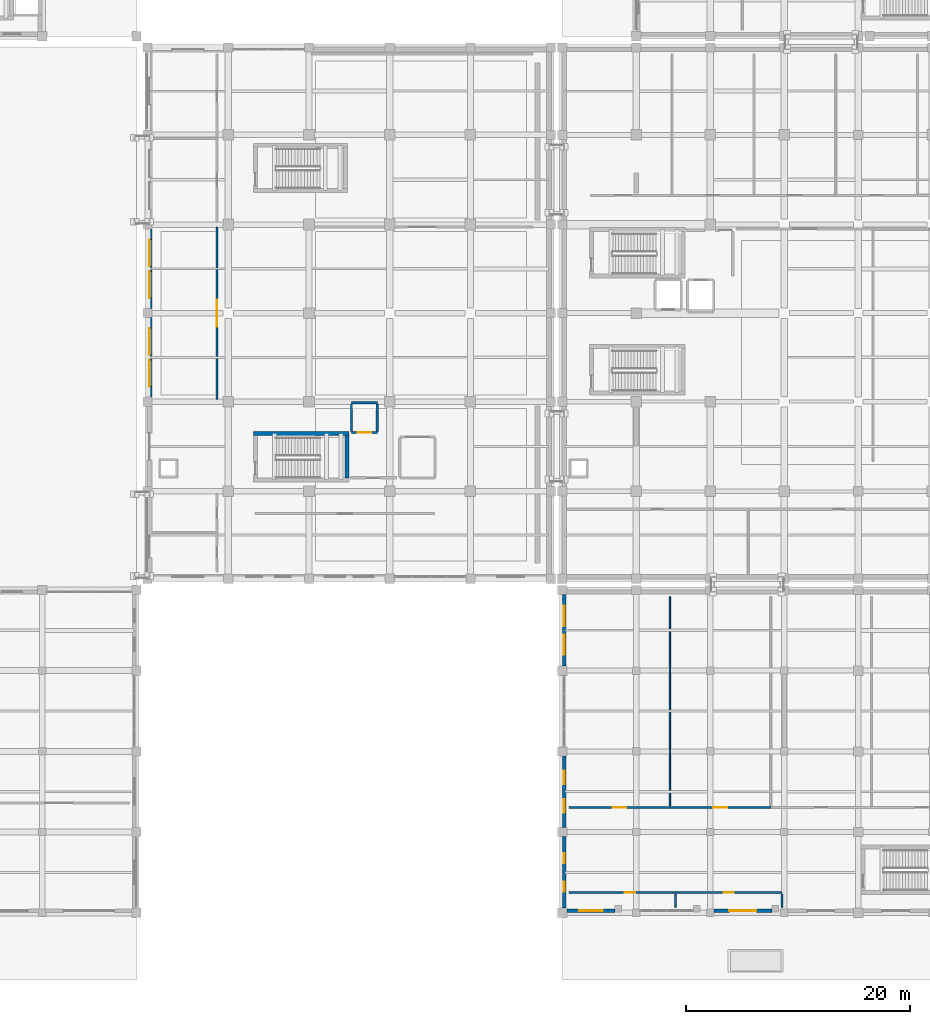
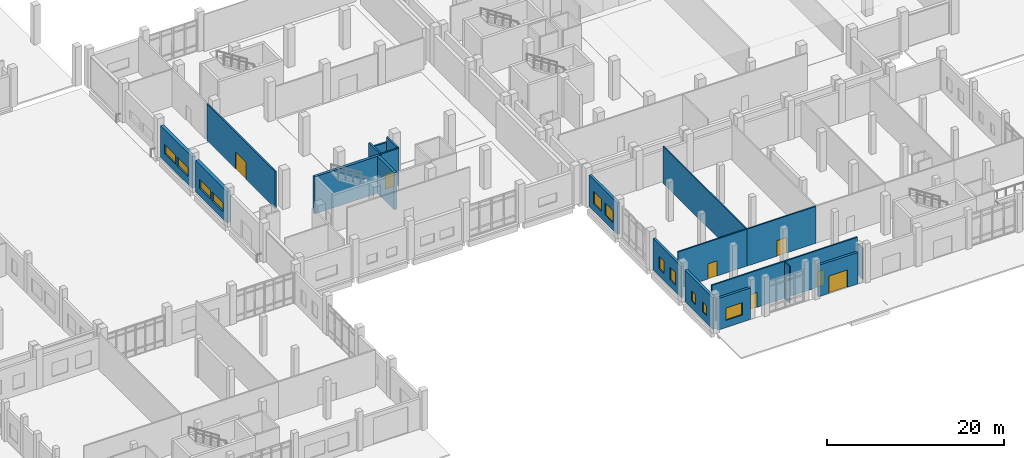
# One storey, part 53 of 79: 21 walls, 11 windows, 7 doors, 18 openings.
"""IFC4 building model written with IfcOpenShell, lengths in metres."""

from ifc_helpers import new_model, si_unit, direction, frame, frame_2d, origin, place, context, subcontext, project, spatial, rectangle, extrude, material, layer, layer_set, type_object, element, fill, save


model = new_model("IFC4")

# Units and contexts
model_context = context("Model", 3, precision=1e-05, world=origin(), true_north=direction((0.0, 1.0)))
body_context = subcontext(model_context, "Body", "Model", "MODEL_VIEW")
ifc_project = project(units=[si_unit("LENGTHUNIT", "METRE"), si_unit("AREAUNIT", "SQUARE_METRE"), si_unit("VOLUMEUNIT", "CUBIC_METRE"), si_unit("PLANEANGLEUNIT", "RADIAN"), si_unit("MASSUNIT", "GRAM", prefix="KILO")], contexts=[model_context])

# Site, building, storey
site_placement = place(None, origin())
site = spatial("IfcSite", under=ifc_project, at=site_placement, CompositionType="ELEMENT")
building_placement = place(site_placement, origin())
building = spatial("IfcBuilding", under=site, at=building_placement, Name="Kelarvand Opera House", CompositionType="ELEMENT")
storey_placement = place(building_placement, origin())
storey = spatial("IfcBuildingStorey", under=building, at=storey_placement, Name="L00", CompositionType="ELEMENT", Elevation=0.0)

# Walls
ifc_material_1 = material(Name="Acoustic double-stud gypsum partition")
ifc_layer_1 = layer(ifc_material_1, 0.14990234375, Name="Acoustic double-stud gypsum partition")
ifc_layer_set_1 = layer_set([ifc_layer_1], Name="Acoustic double-stud gypsum partition")
wall_type_1 = type_object("IfcWallType", Name="Acoustic Room Partition Wall 150", PredefinedType="PARTITIONING", material=ifc_layer_set_1)
wall_1_placement = place(storey_placement, frame((98.60009765625, 18.5400390625, 0.0), z_axis=(0.0, 0.0, 1.0), x_axis=(0.0, 1.0, 0.0)))
element("IfcWall", 1, at=wall_1_placement, inside=storey, type_object=wall_type_1, Name="V6 L00 Partition Wall IW-150 (317)", PredefinedType="PARTITIONING", context=body_context, shape_type="SweptSolid", body=[
    extrude(rectangle(XDim=18.659912109375, YDim=0.14990234375, at=frame_2d((9.330078125, 0.0))), origin(), (0.0, 0.0, 1.0), 5.092041015625),
])
wall_2_placement = place(storey_placement, frame((99.10009765625, 9.5, 0.0), z_axis=(0.0, 0.0, 1.0), x_axis=(0.0, 1.0, 0.0)))
element("IfcWall", 2, at=wall_2_placement, inside=storey, type_object=wall_type_1, Name="V6 L00 Partition Wall IW-150 (326)", PredefinedType="PARTITIONING", context=body_context, shape_type="SweptSolid", body=[
    extrude(rectangle(XDim=1.159912109375, YDim=0.14990234375, at=frame_2d((0.580078125, 0.0))), origin(), (0.0, 0.0, 1.0), 5.092041015625),
])
wall_3_placement = place(storey_placement, frame((108.60009765625, 9.5, 0.0), z_axis=(0.0, 0.0, 1.0), x_axis=(0.0, 1.0, 0.0)))
element("IfcWall", 3, at=wall_3_placement, inside=storey, type_object=wall_type_1, Name="V6 L00 Partition Wall IW-150 (327)", PredefinedType="PARTITIONING", context=body_context, shape_type="SweptSolid", body=[
    extrude(rectangle(XDim=1.159912109375, YDim=0.14990234375, at=frame_2d((0.580078125, 0.0))), origin(), (0.0, 0.0, 1.0), 4.342041015625),
])
ifc_material_2 = material(Name="Concrete C40/50", Category="concrete")
ifc_layer_2 = layer(ifc_material_2, 0.35009765625, Name="Concrete C40/50", Category="concrete")
ifc_layer_set_2 = layer_set([ifc_layer_2], Name="Concrete C40/50")
wall_type_2 = type_object("IfcWallType", Name="Core Stair and Lift Shear Wall 350", PredefinedType="SHEAR", material=ifc_layer_set_2)
wall_4_placement = place(storey_placement, frame((69.949951171875, 51.77490234375, 0.0), z_axis=(0.0, 0.0, 1.0), x_axis=(-1.0, 0.0, 0.0)))
element("IfcWall", 4, at=wall_4_placement, inside=storey, type_object=wall_type_2, Name="C2 Stair Core Shear Wall N L00", PredefinedType="SHEAR", context=body_context, shape_type="SweptSolid", body=[
    extrude(rectangle(XDim=8.5, YDim=0.35009765625, at=frame_2d((4.25, 0.0))), origin(), (0.0, 0.0, 1.0), 5.10009765625),
])
wall_5_placement = place(storey_placement, frame((69.77490234375, 51.60009765625, 0.0), z_axis=(0.0, 0.0, 1.0), x_axis=(0.0, -1.0, 0.0)))
element("IfcWall", 5, at=wall_5_placement, inside=storey, type_object=wall_type_2, Name="C2 Stair Core Shear Wall E L00", PredefinedType="SHEAR", context=body_context, shape_type="SweptSolid", body=[
    extrude(rectangle(XDim=3.800048828125, YDim=0.35009765625, at=frame_2d((1.89990234375, 0.0))), origin(), (0.0, 0.0, 1.0), 5.10009765625),
])

# Wall, opening, door
ifc_material_3 = material(Name="Concrete C35/45", Category="concrete")
ifc_layer_3 = layer(ifc_material_3, 0.179931640625, Name="Concrete C35/45", Category="concrete")
ifc_layer_set_3 = layer_set([ifc_layer_3], Name="Concrete C35/45")
wall_type_3 = type_object("IfcWallType", Name="Corridor Fire-Rated Partition Wall 180 EI90", PredefinedType="PARTITIONING", material=ifc_layer_set_3)
wall_6_placement = place(storey_placement, frame((58.199951171875, 54.800048828125, 0.0), z_axis=(0.0, 0.0, 1.0), x_axis=(0.0, 1.0, 0.0)))
wall_6 = element("IfcWall", 6, at=wall_6_placement, inside=storey, type_object=wall_type_3, Name="V2 L00 Partition Wall IW-90 (268)", PredefinedType="PARTITIONING", context=body_context, shape_type="SweptSolid", body=[
    extrude(rectangle(XDim=15.39990234375, YDim=0.179931640625, at=frame_2d((7.699951171875, 0.0))), origin(), (0.0, 0.0, 1.0), 5.092041015625),
])
opening_1_placement = place(wall_6_placement, frame((6.5, 0.0, 0.0)))
opening_1 = element("IfcOpeningElement", 7, at=opening_1_placement, cuts=wall_6, Name="Opening D-05", PredefinedType="OPENING", context=body_context, shape_type="SweptSolid", body=[
    extrude(rectangle(XDim=2.39990234375, YDim=2.39990234375, at=frame_2d((1.199951171875, 1.199951171875))), frame((0.0, 0.10009765625, 0.0), z_axis=(0.0, -1.0, 0.0), x_axis=(1.0, 0.0, 0.0)), (0.0, 0.0, 1.0), 0.199951171875),
])
ifc_material_4 = material(Name="Acoustic walnut-veneered hardwood", Category="wood")
door_type_1 = type_object("IfcDoorType", Name="Stage Acoustic Scenery Double Door 2400x2400", OperationType="NOTDEFINED", PredefinedType="DOOR", material=ifc_material_4)
door_1_placement = place(opening_1_placement, origin())
door_1 = element("IfcDoor", 8, at=door_1_placement, inside=storey, type_object=door_type_1, Name="V2 L00 Door D-05 (114)", OperationType="DOUBLE_DOOR_SINGLE_SWING", OverallHeight=2.39990234375, OverallWidth=2.39990234375, PredefinedType="DOOR", context=body_context, shape_type="SweptSolid", body=[
    extrude(rectangle(XDim=2.39990234375, YDim=2.39990234375, at=frame_2d((1.199951171875, 1.199951171875))), frame((0.0, 0.02490234375, 0.0), z_axis=(0.0, -1.0, 0.0), x_axis=(1.0, 0.0, 0.0)), (0.0, 0.0, 1.0), 0.050048828125),
])
fill(opening_1, door_1)

wall_7_placement = place(storey_placement, frame((89.60009765625, 18.39990234375, 0.0), z_axis=(0.0, 0.0, 1.0), x_axis=(1.0, 0.0, 0.0)))
wall_7 = element("IfcWall", 9, at=wall_7_placement, inside=storey, type_object=wall_type_3, Name="V6 L00 Partition Wall IW-90 (316)", PredefinedType="PARTITIONING", context=body_context, shape_type="SweptSolid", body=[
    extrude(rectangle(XDim=9.0, YDim=0.179931640625, at=frame_2d((4.5, 0.0))), origin(), (0.0, 0.0, 1.0), 5.092041015625),
])
opening_2_placement = place(wall_7_placement, frame((3.89990234375, 0.0, 0.0)))
opening_2 = element("IfcOpeningElement", 10, at=opening_2_placement, cuts=wall_7, Name="Opening D-06", PredefinedType="OPENING", context=body_context, shape_type="SweptSolid", body=[
    extrude(rectangle(XDim=1.199951171875, YDim=2.10009765625, at=frame_2d((0.60009765625, 1.050048828125))), frame((0.0, 0.10009765625, 0.0), z_axis=(0.0, -1.0, 0.0), x_axis=(1.0, 0.0, 0.0)), (0.0, 0.0, 1.0), 0.199951171875),
])
door_type_2 = type_object("IfcDoorType", Name="Accessible Suite Timber Door 1200x2100", OperationType="NOTDEFINED", PredefinedType="DOOR", material=ifc_material_4)
door_2_placement = place(opening_2_placement, origin())
door_2 = element("IfcDoor", 11, at=door_2_placement, inside=storey, type_object=door_type_2, Name="V6 L00 Door D-06 (139)", OperationType="SINGLE_SWING_RIGHT", OverallHeight=2.10009765625, OverallWidth=1.199951171875, PredefinedType="DOOR", context=body_context, shape_type="SweptSolid", body=[
    extrude(rectangle(XDim=1.199951171875, YDim=2.10009765625, at=frame_2d((0.60009765625, 1.050048828125))), frame((0.0, 0.02490234375, 0.0), z_axis=(0.0, -1.0, 0.0), x_axis=(1.0, 0.0, 0.0)), (0.0, 0.0, 1.0), 0.050048828125),
])
fill(opening_2, door_2)

wall_8_placement = place(storey_placement, frame((98.60009765625, 18.39990234375, 0.0), z_axis=(0.0, 0.0, 1.0), x_axis=(1.0, 0.0, 0.0)))
wall_8 = element("IfcWall", 12, at=wall_8_placement, inside=storey, type_object=wall_type_3, Name="V6 L00 Partition Wall IW-90 (318)", PredefinedType="PARTITIONING", context=body_context, shape_type="SweptSolid", body=[
    extrude(rectangle(XDim=9.0, YDim=0.179931640625, at=frame_2d((4.5, 0.0))), origin(), (0.0, 0.0, 1.0), 5.092041015625),
])
opening_3_placement = place(wall_8_placement, frame((3.860107421875, 0.0, 0.0)))
opening_3 = element("IfcOpeningElement", 13, at=opening_3_placement, cuts=wall_8, Name="Opening D-11", PredefinedType="OPENING", context=body_context, shape_type="SweptSolid", body=[
    extrude(rectangle(XDim=1.280029296875, YDim=2.139892578125, at=frame_2d((0.64013671875, 1.06982421875))), frame((0.0, 0.10009765625, 0.0), z_axis=(0.0, -1.0, 0.0), x_axis=(1.0, 0.0, 0.0)), (0.0, 0.0, 1.0), 0.199951171875),
])
door_type_3 = type_object("IfcDoorType", Name="Instrument Store Leaf-and-Half Door 1280x2140", OperationType="NOTDEFINED", PredefinedType="DOOR", material=ifc_material_4)
door_3_placement = place(opening_3_placement, origin())
door_3 = element("IfcDoor", 14, at=door_3_placement, inside=storey, type_object=door_type_3, Name="V6 L00 Door D-11 (140)", OperationType="SINGLE_SWING_LEFT", OverallHeight=2.139892578125, OverallWidth=1.280029296875, PredefinedType="DOOR", context=body_context, shape_type="SweptSolid", body=[
    extrude(rectangle(XDim=1.280029296875, YDim=2.139892578125, at=frame_2d((0.64013671875, 1.06982421875))), frame((0.0, 0.02490234375, 0.0), z_axis=(0.0, -1.0, 0.0), x_axis=(1.0, 0.0, 0.0)), (0.0, 0.0, 1.0), 0.050048828125),
])
fill(opening_3, door_3)

wall_9_placement = place(storey_placement, frame((89.60009765625, 10.800048828125, 0.0), z_axis=(0.0, 0.0, 1.0), x_axis=(1.0, 0.0, 0.0)))
wall_9 = element("IfcWall", 15, at=wall_9_placement, inside=storey, type_object=wall_type_3, Name="V6 L00 Partition Wall IW-90 (325)", PredefinedType="PARTITIONING", context=body_context, shape_type="SweptSolid", body=[
    extrude(rectangle(XDim=9.5, YDim=0.179931640625, at=frame_2d((4.75, 0.0))), origin(), (0.0, 0.0, 1.0), 5.092041015625),
])
opening_4_placement = place(wall_9_placement, frame((4.991943359375, 0.0, 0.0)))
opening_4 = element("IfcOpeningElement", 16, at=opening_4_placement, cuts=wall_9, Name="Opening D-01", PredefinedType="OPENING", context=body_context, shape_type="SweptSolid", body=[
    extrude(rectangle(XDim=0.919921875, YDim=2.050048828125, at=frame_2d((0.4599609375, 1.02490234375))), frame((0.0, 0.10009765625, 0.0), z_axis=(0.0, -1.0, 0.0), x_axis=(1.0, 0.0, 0.0)), (0.0, 0.0, 1.0), 0.199951171875),
])
door_type_4 = type_object("IfcDoorType", Name="Solid Timber Dressing and WC Door 920x2050", OperationType="NOTDEFINED", PredefinedType="DOOR", material=ifc_material_4)
door_4_placement = place(opening_4_placement, origin())
door_4 = element("IfcDoor", 17, at=door_4_placement, inside=storey, type_object=door_type_4, Name="V6 L00 Door D-01 (144)", OperationType="SINGLE_SWING_LEFT", OverallHeight=2.050048828125, OverallWidth=0.919921875, PredefinedType="DOOR", context=body_context, shape_type="SweptSolid", body=[
    extrude(rectangle(XDim=0.919921875, YDim=2.050048828125, at=frame_2d((0.4599609375, 1.02490234375))), frame((0.0, 0.02490234375, 0.0), z_axis=(0.0, -1.0, 0.0), x_axis=(1.0, 0.0, 0.0)), (0.0, 0.0, 1.0), 0.050048828125),
])
fill(opening_4, door_4)

wall_10_placement = place(storey_placement, frame((99.10009765625, 10.800048828125, 0.0), z_axis=(0.0, 0.0, 1.0), x_axis=(1.0, 0.0, 0.0)))
wall_10 = element("IfcWall", 18, at=wall_10_placement, inside=storey, type_object=wall_type_3, Name="V6 L00 Partition Wall IW-90 (328)", PredefinedType="PARTITIONING", context=body_context, shape_type="SweptSolid", body=[
    extrude(rectangle(XDim=9.5, YDim=0.179931640625, at=frame_2d((4.75, 0.0))), origin(), (0.0, 0.0, 1.0), 5.092041015625),
])
opening_5_placement = place(wall_10_placement, frame((4.2900390625, 0.0, 0.0)))
opening_5 = element("IfcOpeningElement", 19, at=opening_5_placement, cuts=wall_10, Name="Opening D-01", PredefinedType="OPENING", context=body_context, shape_type="SweptSolid", body=[
    extrude(rectangle(XDim=0.919921875, YDim=2.050048828125, at=frame_2d((0.4599609375, 1.02490234375))), frame((0.0, 0.10009765625, 0.0), z_axis=(0.0, -1.0, 0.0), x_axis=(1.0, 0.0, 0.0)), (0.0, 0.0, 1.0), 0.199951171875),
])
door_5_placement = place(opening_5_placement, origin())
door_5 = element("IfcDoor", 20, at=door_5_placement, inside=storey, type_object=door_type_4, Name="V6 L00 Door D-01 (145)", OperationType="SINGLE_SWING_RIGHT", OverallHeight=2.050048828125, OverallWidth=0.919921875, PredefinedType="DOOR", context=body_context, shape_type="SweptSolid", body=[
    extrude(rectangle(XDim=0.919921875, YDim=2.050048828125, at=frame_2d((0.4599609375, 1.02490234375))), frame((0.0, 0.02490234375, 0.0), z_axis=(0.0, -1.0, 0.0), x_axis=(1.0, 0.0, 0.0)), (0.0, 0.0, 1.0), 0.050048828125),
])
fill(opening_5, door_5)

ifc_layer_4 = layer(ifc_material_3, 0.320068359375, Name="Concrete C35/45", Category="concrete")
ifc_layer_set_4 = layer_set([ifc_layer_4], Name="Concrete C35/45")
wall_type_4 = type_object("IfcWallType", Name="Insulated Buff Brick Cavity Wall 320", PredefinedType="SOLIDWALL", material=ifc_layer_set_4)
wall_11_placement = place(storey_placement, frame((107.699951171875, 9.179931640625, 0.0), z_axis=(0.0, 0.0, 1.0), x_axis=(-1.0, 0.0, 0.0)))
wall_11 = element("IfcWall", 21, at=wall_11_placement, inside=storey, type_object=wall_type_4, Name="V6 L00 Exterior Wall EW-320 (704)", PredefinedType="SOLIDWALL", context=body_context, shape_type="SweptSolid", body=[
    extrude(rectangle(XDim=5.175048828125, YDim=0.320068359375, at=frame_2d((2.58740234375, 0.0))), origin(), (0.0, 0.0, 1.0), 4.342041015625),
])
opening_6_placement = place(wall_11_placement, frame((1.386962890625, 0.0, 0.0)))
opening_6 = element("IfcOpeningElement", 22, at=opening_6_placement, cuts=wall_11, Name="Opening EX-240", PredefinedType="OPENING", context=body_context, shape_type="SweptSolid", body=[
    extrude(rectangle(XDim=2.39990234375, YDim=2.39990234375, at=frame_2d((1.199951171875, 1.199951171875))), frame((0.0, 0.169921875, 0.0), z_axis=(0.0, -1.0, 0.0), x_axis=(1.0, 0.0, 0.0)), (0.0, 0.0, 1.0), 0.340087890625),
])
ifc_material_5 = material(Name="Thermally broken bronze-anodised aluminium and safety glass", Category="aluminium")
door_type_5 = type_object("IfcDoorType", Name="Glazed Bronze Double Final Exit Door 2400x2400", OperationType="NOTDEFINED", PredefinedType="DOOR", material=ifc_material_5)
door_6_placement = place(opening_6_placement, origin())
door_6 = element("IfcDoor", 23, at=door_6_placement, inside=storey, type_object=door_type_5, Name="V6 Ground Final Exit Door E07", OperationType="DOUBLE_DOOR_SINGLE_SWING", OverallHeight=2.39990234375, OverallWidth=2.39990234375, PredefinedType="DOOR", context=body_context, shape_type="SweptSolid", body=[
    extrude(rectangle(XDim=2.39990234375, YDim=2.39990234375, at=frame_2d((1.199951171875, 1.199951171875))), frame((0.0, 0.02490234375, 0.0), z_axis=(0.0, -1.0, 0.0), x_axis=(1.0, 0.0, 0.0)), (0.0, 0.0, 1.0), 0.050048828125),
])
fill(opening_6, door_6)

# Wall, opening, window
wall_12_placement = place(storey_placement, frame((93.699951171875, 9.179931640625, 0.0), z_axis=(0.0, 0.0, 1.0), x_axis=(-1.0, 0.0, 0.0)))
wall_12 = element("IfcWall", 24, at=wall_12_placement, inside=storey, type_object=wall_type_4, Name="V6 L00 Exterior Wall EW-320 (705)", PredefinedType="SOLIDWALL", context=body_context, shape_type="SweptSolid", body=[
    extrude(rectangle(XDim=4.2900390625, YDim=0.320068359375, at=frame_2d((2.14501953125, 0.0))), origin(), (0.0, 0.0, 1.0), 4.342041015625),
])
opening_7_placement = place(wall_12_placement, frame((1.094970703125, 0.0, 1.0)))
opening_7 = element("IfcOpeningElement", 25, at=opening_7_placement, cuts=wall_12, Name="Opening WN-19", PredefinedType="OPENING", context=body_context, shape_type="SweptSolid", body=[
    extrude(rectangle(XDim=2.10009765625, YDim=1.699951171875, at=frame_2d((1.050048828125, 0.85009765625))), frame((0.0, 0.169921875, 0.0), z_axis=(0.0, -1.0, 0.0), x_axis=(1.0, 0.0, 0.0)), (0.0, 0.0, 1.0), 0.340087890625),
])
ifc_material_6 = material(Name="Thermally broken aluminium and low-E double glazing", Category="aluminium")
window_type_1 = type_object("IfcWindowType", Name="Recessed Aluminium Thermal Window 2100x1700 WN-19", PartitioningType="SINGLE_PANEL", PredefinedType="WINDOW", material=ifc_material_6)
window_1_placement = place(opening_7_placement, origin())
window_1 = element("IfcWindow", 26, at=window_1_placement, inside=storey, type_object=window_type_1, Name="V6 L00 Facade Window WN-19 (311)", OverallHeight=1.699951171875, OverallWidth=2.10009765625, PartitioningType="SINGLE_PANEL", PredefinedType="WINDOW", context=body_context, shape_type="SweptSolid", body=[
    extrude(rectangle(XDim=2.10009765625, YDim=1.699951171875, at=frame_2d((1.050048828125, 0.85009765625))), frame((0.0, 0.030029296875, 0.0), z_axis=(0.0, -1.0, 0.0), x_axis=(1.0, 0.0, 0.0)), (0.0, 0.0, 1.0), 0.06005859375),
])
fill(opening_7, window_1)

# Wall, openings, windows
wall_13_placement = place(storey_placement, frame((89.179931640625, 9.409912109375, 0.0), z_axis=(0.0, 0.0, 1.0), x_axis=(0.0, 1.0, 0.0)))
wall_13 = element("IfcWall", 27, at=wall_13_placement, inside=storey, type_object=wall_type_4, Name="V6 L00 Exterior Wall EW-320 (706)", PredefinedType="SOLIDWALL", context=body_context, shape_type="SweptSolid", body=[
    extrude(rectangle(XDim=6.380126953125, YDim=0.320068359375, at=frame_2d((3.18994140625, 0.0))), origin(), (0.0, 0.0, 1.0), 4.342041015625),
])
opening_8_placement = place(wall_13_placement, frame((1.464111328125, 0.0, 1.0)))
opening_8 = element("IfcOpeningElement", 28, at=opening_8_placement, cuts=wall_13, Name="Opening WN-25", PredefinedType="OPENING", context=body_context, shape_type="SweptSolid", body=[
    extrude(rectangle(XDim=0.89990234375, YDim=1.39990234375, at=frame_2d((0.449951171875, 0.699951171875))), frame((0.0, 0.169921875, 0.0), z_axis=(0.0, -1.0, 0.0), x_axis=(1.0, 0.0, 0.0)), (0.0, 0.0, 1.0), 0.340087890625),
])
opening_9_placement = place(wall_13_placement, frame((4.01611328125, 0.0, 1.0)))
opening_9 = element("IfcOpeningElement", 29, at=opening_9_placement, cuts=wall_13, Name="Opening WN-25", PredefinedType="OPENING", context=body_context, shape_type="SweptSolid", body=[
    extrude(rectangle(XDim=0.89990234375, YDim=1.39990234375, at=frame_2d((0.449951171875, 0.699951171875))), frame((0.0, 0.169921875, 0.0), z_axis=(0.0, -1.0, 0.0), x_axis=(1.0, 0.0, 0.0)), (0.0, 0.0, 1.0), 0.340087890625),
])
window_type_2 = type_object("IfcWindowType", Name="Recessed Aluminium Thermal Window 900x1400 WN-25", PartitioningType="SINGLE_PANEL", PredefinedType="WINDOW", material=ifc_material_6)
window_2_placement = place(opening_8_placement, origin())
window_2 = element("IfcWindow", 30, at=window_2_placement, inside=storey, type_object=window_type_2, Name="V6 L00 Facade Window WN-25 (312)", OverallHeight=1.39990234375, OverallWidth=0.89990234375, PartitioningType="SINGLE_PANEL", PredefinedType="WINDOW", context=body_context, shape_type="SweptSolid", body=[
    extrude(rectangle(XDim=0.89990234375, YDim=1.39990234375, at=frame_2d((0.449951171875, 0.699951171875))), frame((0.0, 0.030029296875, 0.0), z_axis=(0.0, -1.0, 0.0), x_axis=(1.0, 0.0, 0.0)), (0.0, 0.0, 1.0), 0.06005859375),
])
fill(opening_8, window_2)
window_3_placement = place(opening_9_placement, origin())
window_3 = element("IfcWindow", 31, at=window_3_placement, inside=storey, type_object=window_type_2, Name="V6 L00 Facade Window WN-25 (313)", OverallHeight=1.39990234375, OverallWidth=0.89990234375, PartitioningType="SINGLE_PANEL", PredefinedType="WINDOW", context=body_context, shape_type="SweptSolid", body=[
    extrude(rectangle(XDim=0.89990234375, YDim=1.39990234375, at=frame_2d((0.449951171875, 0.699951171875))), frame((0.0, 0.030029296875, 0.0), z_axis=(0.0, -1.0, 0.0), x_axis=(1.0, 0.0, 0.0)), (0.0, 0.0, 1.0), 0.06005859375),
])
fill(opening_9, window_3)

wall_14_placement = place(storey_placement, frame((89.179931640625, 16.610107421875, 0.0), z_axis=(0.0, 0.0, 1.0), x_axis=(0.0, 1.0, 0.0)))
wall_14 = element("IfcWall", 32, at=wall_14_placement, inside=storey, type_object=wall_type_4, Name="V6 L00 Exterior Wall EW-320 (707)", PredefinedType="SOLIDWALL", context=body_context, shape_type="SweptSolid", body=[
    extrude(rectangle(XDim=6.3798828125, YDim=0.320068359375, at=frame_2d((3.18994140625, 0.0))), origin(), (0.0, 0.0, 1.0), 4.342041015625),
])
opening_10_placement = place(wall_14_placement, frame((1.31396484375, 0.0, 1.0)))
opening_10 = element("IfcOpeningElement", 33, at=opening_10_placement, cuts=wall_14, Name="Opening WN-16", PredefinedType="OPENING", context=body_context, shape_type="SweptSolid", body=[
    extrude(rectangle(XDim=1.199951171875, YDim=1.699951171875, at=frame_2d((0.60009765625, 0.85009765625))), frame((0.0, 0.169921875, 0.0), z_axis=(0.0, -1.0, 0.0), x_axis=(1.0, 0.0, 0.0)), (0.0, 0.0, 1.0), 0.340087890625),
])
opening_11_placement = place(wall_14_placement, frame((3.865966796875, 0.0, 1.0)))
opening_11 = element("IfcOpeningElement", 34, at=opening_11_placement, cuts=wall_14, Name="Opening WN-16", PredefinedType="OPENING", context=body_context, shape_type="SweptSolid", body=[
    extrude(rectangle(XDim=1.199951171875, YDim=1.699951171875, at=frame_2d((0.60009765625, 0.85009765625))), frame((0.0, 0.169921875, 0.0), z_axis=(0.0, -1.0, 0.0), x_axis=(1.0, 0.0, 0.0)), (0.0, 0.0, 1.0), 0.340087890625),
])
window_type_3 = type_object("IfcWindowType", Name="Recessed Aluminium Thermal Window 1200x1700 WN-16", PartitioningType="SINGLE_PANEL", PredefinedType="WINDOW", material=ifc_material_6)
window_4_placement = place(opening_10_placement, origin())
window_4 = element("IfcWindow", 35, at=window_4_placement, inside=storey, type_object=window_type_3, Name="V6 L00 Facade Window WN-16 (314)", OverallHeight=1.699951171875, OverallWidth=1.199951171875, PartitioningType="SINGLE_PANEL", PredefinedType="WINDOW", context=body_context, shape_type="SweptSolid", body=[
    extrude(rectangle(XDim=1.199951171875, YDim=1.699951171875, at=frame_2d((0.60009765625, 0.85009765625))), frame((0.0, 0.030029296875, 0.0), z_axis=(0.0, -1.0, 0.0), x_axis=(1.0, 0.0, 0.0)), (0.0, 0.0, 1.0), 0.06005859375),
])
fill(opening_10, window_4)
window_5_placement = place(opening_11_placement, origin())
window_5 = element("IfcWindow", 36, at=window_5_placement, inside=storey, type_object=window_type_3, Name="V6 L00 Facade Window WN-16 (315)", OverallHeight=1.699951171875, OverallWidth=1.199951171875, PartitioningType="SINGLE_PANEL", PredefinedType="WINDOW", context=body_context, shape_type="SweptSolid", body=[
    extrude(rectangle(XDim=1.199951171875, YDim=1.699951171875, at=frame_2d((0.60009765625, 0.85009765625))), frame((0.0, 0.030029296875, 0.0), z_axis=(0.0, -1.0, 0.0), x_axis=(1.0, 0.0, 0.0)), (0.0, 0.0, 1.0), 0.06005859375),
])
fill(opening_11, window_5)

wall_15_placement = place(storey_placement, frame((89.179931640625, 31.010009765625, 0.0), z_axis=(0.0, 0.0, 1.0), x_axis=(0.0, 1.0, 0.0)))
wall_15 = element("IfcWall", 37, at=wall_15_placement, inside=storey, type_object=wall_type_4, Name="V6 L00 Exterior Wall EW-320 (708)", PredefinedType="SOLIDWALL", context=body_context, shape_type="SweptSolid", body=[
    extrude(rectangle(XDim=6.3798828125, YDim=0.320068359375, at=frame_2d((3.18994140625, 0.0))), origin(), (0.0, 0.0, 1.0), 4.342041015625),
])
opening_12_placement = place(wall_15_placement, frame((1.013916015625, 0.0, 1.0)))
opening_12 = element("IfcOpeningElement", 38, at=opening_12_placement, cuts=wall_15, Name="Opening WN-18", PredefinedType="OPENING", context=body_context, shape_type="SweptSolid", body=[
    extrude(rectangle(XDim=1.800048828125, YDim=1.699951171875, at=frame_2d((0.89990234375, 0.85009765625))), frame((0.0, 0.169921875, 0.0), z_axis=(0.0, -1.0, 0.0), x_axis=(1.0, 0.0, 0.0)), (0.0, 0.0, 1.0), 0.340087890625),
])
opening_13_placement = place(wall_15_placement, frame((3.56591796875, 0.0, 1.0)))
opening_13 = element("IfcOpeningElement", 39, at=opening_13_placement, cuts=wall_15, Name="Opening WN-18", PredefinedType="OPENING", context=body_context, shape_type="SweptSolid", body=[
    extrude(rectangle(XDim=1.800048828125, YDim=1.699951171875, at=frame_2d((0.89990234375, 0.85009765625))), frame((0.0, 0.169921875, 0.0), z_axis=(0.0, -1.0, 0.0), x_axis=(1.0, 0.0, 0.0)), (0.0, 0.0, 1.0), 0.340087890625),
])
window_type_4 = type_object("IfcWindowType", Name="Recessed Aluminium Thermal Window 1800x1700 WN-18", PartitioningType="SINGLE_PANEL", PredefinedType="WINDOW", material=ifc_material_6)
window_6_placement = place(opening_12_placement, origin())
window_6 = element("IfcWindow", 40, at=window_6_placement, inside=storey, type_object=window_type_4, Name="V6 L00 Facade Window WN-18 (316)", OverallHeight=1.699951171875, OverallWidth=1.800048828125, PartitioningType="SINGLE_PANEL", PredefinedType="WINDOW", context=body_context, shape_type="SweptSolid", body=[
    extrude(rectangle(XDim=1.800048828125, YDim=1.699951171875, at=frame_2d((0.89990234375, 0.85009765625))), frame((0.0, 0.030029296875, 0.0), z_axis=(0.0, -1.0, 0.0), x_axis=(1.0, 0.0, 0.0)), (0.0, 0.0, 1.0), 0.06005859375),
])
fill(opening_12, window_6)
window_7_placement = place(opening_13_placement, origin())
window_7 = element("IfcWindow", 41, at=window_7_placement, inside=storey, type_object=window_type_4, Name="V6 L00 Facade Window WN-18 (317)", OverallHeight=1.699951171875, OverallWidth=1.800048828125, PartitioningType="SINGLE_PANEL", PredefinedType="WINDOW", context=body_context, shape_type="SweptSolid", body=[
    extrude(rectangle(XDim=1.800048828125, YDim=1.699951171875, at=frame_2d((0.89990234375, 0.85009765625))), frame((0.0, 0.030029296875, 0.0), z_axis=(0.0, -1.0, 0.0), x_axis=(1.0, 0.0, 0.0)), (0.0, 0.0, 1.0), 0.06005859375),
])
fill(opening_13, window_7)

# Wall, opening, door
ifc_layer_5 = layer(ifc_material_3, 0.199951171875, Name="Concrete C35/45", Category="concrete")
ifc_layer_set_5 = layer_set([ifc_layer_5], Name="Concrete C35/45")
wall_type_5 = type_object("IfcWallType", Name="Lift and Riser Shaft Enclosure Wall 200 EI120", PredefinedType="PARTITIONING", material=ifc_layer_set_5)
wall_16_placement = place(storey_placement, frame((70.199951171875, 51.85009765625, 0.0), z_axis=(0.0, 0.0, 1.0), x_axis=(1.0, 0.0, 0.0)))
wall_16 = element("IfcWall", 42, at=wall_16_placement, inside=storey, type_object=wall_type_5, Name="V2 L00 Partition Wall SW-200 (221)", PredefinedType="PARTITIONING", context=body_context, shape_type="SweptSolid", body=[
    extrude(rectangle(XDim=2.300048828125, YDim=0.199951171875, at=frame_2d((1.14990234375, 0.0))), origin(), (0.0, 0.0, 1.0), 5.092041015625),
])
opening_14_placement = place(wall_16_placement, frame((0.550048828125, 0.0, 0.0)))
opening_14 = element("IfcOpeningElement", 43, at=opening_14_placement, cuts=wall_16, Name="Opening LD-02", PredefinedType="OPENING", context=body_context, shape_type="SweptSolid", body=[
    extrude(rectangle(XDim=1.199951171875, YDim=2.14990234375, at=frame_2d((0.60009765625, 1.074951171875))), frame((0.0, 0.10986328125, 0.0), z_axis=(0.0, -1.0, 0.0), x_axis=(1.0, 0.0, 0.0)), (0.0, 0.0, 1.0), 0.219970703125),
])
ifc_material_7 = material(Name="Fire-rated brushed stainless steel", Category="steel")
door_type_6 = type_object("IfcDoorType", Name="Firefighting Lift Sliding Landing Door 1200x2150", OperationType="SLIDING_TO_LEFT", PredefinedType="DOOR", material=ifc_material_7)
door_7_placement = place(opening_14_placement, origin())
door_7 = element("IfcDoor", 44, at=door_7_placement, inside=storey, type_object=door_type_6, Name="V2 L00 Door LD-02 (95)", OperationType="SLIDING_TO_LEFT", OverallHeight=2.14990234375, OverallWidth=1.199951171875, PredefinedType="DOOR", context=body_context, shape_type="SweptSolid", body=[
    extrude(rectangle(XDim=1.199951171875, YDim=2.14990234375, at=frame_2d((0.60009765625, 1.074951171875))), frame((0.0, 0.02490234375, 0.0), z_axis=(0.0, -1.0, 0.0), x_axis=(1.0, 0.0, 0.0)), (0.0, 0.0, 1.0), 0.050048828125),
])
fill(opening_14, door_7)

# Walls
wall_17_placement = place(storey_placement, frame((72.5, 54.5, 0.0), z_axis=(0.0, 0.0, 1.0), x_axis=(-1.0, 0.0, 0.0)))
element("IfcWall", 45, at=wall_17_placement, inside=storey, type_object=wall_type_5, Name="V2 L00 Partition Wall SW-200 (222)", PredefinedType="PARTITIONING", context=body_context, shape_type="SweptSolid", body=[
    extrude(rectangle(XDim=2.300048828125, YDim=0.199951171875, at=frame_2d((1.14990234375, 0.0))), origin(), (0.0, 0.0, 1.0), 4.342041015625),
])
for number, where, z_axis, x_axis, name in (
    (46, (70.199951171875, 51.949951171875, 0.0), (0.0, 0.0, 1.0), (0.0, 1.0, 0.0), "V2 L00 Partition Wall SW-200 (223)"),
    (47, (72.5, 54.39990234375, 0.0), (0.0, 0.0, 1.0), (0.0, -1.0, 0.0), "V2 L00 Partition Wall SW-200 (224)"),
):
    element("IfcWall", number, at=place(storey_placement, frame(where, z_axis=z_axis, x_axis=x_axis)), inside=storey, type_object=wall_type_5, Name=name, PredefinedType="PARTITIONING", context=body_context, shape_type="SweptSolid", body=[
        extrude(rectangle(XDim=2.449951171875, YDim=0.199951171875, at=frame_2d((1.22509765625, 0.0))), origin(), (0.0, 0.0, 1.0), 5.092041015625),
    ])

# Wall, openings, windows
ifc_layer_6 = layer(ifc_material_3, 0.43994140625, Name="Concrete C35/45", Category="concrete")
ifc_layer_set_6 = layer_set([ifc_layer_6], Name="Concrete C35/45")
wall_type_6 = type_object("IfcWallType", Name="Stage House Acoustic Cavity Wall 440", PredefinedType="SOLIDWALL", material=ifc_layer_set_6)
wall_18_placement = place(storey_placement, frame((52.179931640625, 55.010009765625, 0.0), z_axis=(0.0, 0.0, 1.0), x_axis=(0.0, 1.0, 0.0)))
wall_18 = element("IfcWall", 48, at=wall_18_placement, inside=storey, type_object=wall_type_6, Name="V2 L00 Exterior Wall EW-440 (232)", PredefinedType="SOLIDWALL", context=body_context, shape_type="SweptSolid", body=[
    extrude(rectangle(XDim=7.080078125, YDim=0.43994140625, at=frame_2d((3.5400390625, 0.0))), origin(), (0.0, 0.0, 1.0), 4.342041015625),
])
opening_15_placement = place(wall_18_placement, frame((0.924072265625, 0.0, 1.050048828125)))
opening_15 = element("IfcOpeningElement", 49, at=opening_15_placement, cuts=wall_18, Name="Opening WN-22", PredefinedType="OPENING", context=body_context, shape_type="SweptSolid", body=[
    extrude(rectangle(XDim=2.39990234375, YDim=1.25, at=frame_2d((1.199951171875, 0.625))), frame((0.0, 0.22998046875, 0.0), z_axis=(0.0, -1.0, 0.0), x_axis=(1.0, 0.0, 0.0)), (0.0, 0.0, 1.0), 0.4599609375),
])
opening_16_placement = place(wall_18_placement, frame((3.756103515625, 0.0, 1.050048828125)))
opening_16 = element("IfcOpeningElement", 50, at=opening_16_placement, cuts=wall_18, Name="Opening WN-22", PredefinedType="OPENING", context=body_context, shape_type="SweptSolid", body=[
    extrude(rectangle(XDim=2.39990234375, YDim=1.25, at=frame_2d((1.199951171875, 0.625))), frame((0.0, 0.22998046875, 0.0), z_axis=(0.0, -1.0, 0.0), x_axis=(1.0, 0.0, 0.0)), (0.0, 0.0, 1.0), 0.4599609375),
])
window_type_5 = type_object("IfcWindowType", Name="Recessed Aluminium Thermal Window 2400x1250 WN-22", PartitioningType="SINGLE_PANEL", PredefinedType="WINDOW", material=ifc_material_6)
window_8_placement = place(opening_15_placement, origin())
window_8 = element("IfcWindow", 51, at=window_8_placement, inside=storey, type_object=window_type_5, Name="V2 L00 Facade Window WN-22 (6)", OverallHeight=1.25, OverallWidth=2.39990234375, PartitioningType="SINGLE_PANEL", PredefinedType="WINDOW", context=body_context, shape_type="SweptSolid", body=[
    extrude(rectangle(XDim=2.39990234375, YDim=1.25, at=frame_2d((1.199951171875, 0.625))), frame((0.0, 0.030029296875, 0.0), z_axis=(0.0, -1.0, 0.0), x_axis=(1.0, 0.0, 0.0)), (0.0, 0.0, 1.0), 0.06005859375),
])
fill(opening_15, window_8)
window_9_placement = place(opening_16_placement, origin())
window_9 = element("IfcWindow", 52, at=window_9_placement, inside=storey, type_object=window_type_5, Name="V2 L00 Facade Window WN-22 (7)", OverallHeight=1.25, OverallWidth=2.39990234375, PartitioningType="SINGLE_PANEL", PredefinedType="WINDOW", context=body_context, shape_type="SweptSolid", body=[
    extrude(rectangle(XDim=2.39990234375, YDim=1.25, at=frame_2d((1.199951171875, 0.625))), frame((0.0, 0.030029296875, 0.0), z_axis=(0.0, -1.0, 0.0), x_axis=(1.0, 0.0, 0.0)), (0.0, 0.0, 1.0), 0.06005859375),
])
fill(opening_16, window_9)

wall_19_placement = place(storey_placement, frame((52.179931640625, 62.909912109375, 0.0), z_axis=(0.0, 0.0, 1.0), x_axis=(0.0, 1.0, 0.0)))
wall_19 = element("IfcWall", 53, at=wall_19_placement, inside=storey, type_object=wall_type_6, Name="V2 L00 Exterior Wall EW-440 (233)", PredefinedType="SOLIDWALL", context=body_context, shape_type="SweptSolid", body=[
    extrude(rectangle(XDim=7.080078125, YDim=0.43994140625, at=frame_2d((3.5400390625, 0.0))), origin(), (0.0, 0.0, 1.0), 4.342041015625),
])
opening_17_placement = place(wall_19_placement, frame((0.924072265625, 0.0, 1.050048828125)))
opening_17 = element("IfcOpeningElement", 54, at=opening_17_placement, cuts=wall_19, Name="Opening WN-22", PredefinedType="OPENING", context=body_context, shape_type="SweptSolid", body=[
    extrude(rectangle(XDim=2.39990234375, YDim=1.25, at=frame_2d((1.199951171875, 0.625))), frame((0.0, 0.22998046875, 0.0), z_axis=(0.0, -1.0, 0.0), x_axis=(1.0, 0.0, 0.0)), (0.0, 0.0, 1.0), 0.4599609375),
])
opening_18_placement = place(wall_19_placement, frame((3.756103515625, 0.0, 1.050048828125)))
opening_18 = element("IfcOpeningElement", 55, at=opening_18_placement, cuts=wall_19, Name="Opening WN-22", PredefinedType="OPENING", context=body_context, shape_type="SweptSolid", body=[
    extrude(rectangle(XDim=2.39990234375, YDim=1.25, at=frame_2d((1.199951171875, 0.625))), frame((0.0, 0.22998046875, 0.0), z_axis=(0.0, -1.0, 0.0), x_axis=(1.0, 0.0, 0.0)), (0.0, 0.0, 1.0), 0.4599609375),
])
window_10_placement = place(opening_17_placement, origin())
window_10 = element("IfcWindow", 56, at=window_10_placement, inside=storey, type_object=window_type_5, Name="V2 L00 Facade Window WN-22 (8)", OverallHeight=1.25, OverallWidth=2.39990234375, PartitioningType="SINGLE_PANEL", PredefinedType="WINDOW", context=body_context, shape_type="SweptSolid", body=[
    extrude(rectangle(XDim=2.39990234375, YDim=1.25, at=frame_2d((1.199951171875, 0.625))), frame((0.0, 0.030029296875, 0.0), z_axis=(0.0, -1.0, 0.0), x_axis=(1.0, 0.0, 0.0)), (0.0, 0.0, 1.0), 0.06005859375),
])
fill(opening_17, window_10)
window_11_placement = place(opening_18_placement, origin())
window_11 = element("IfcWindow", 57, at=window_11_placement, inside=storey, type_object=window_type_5, Name="V2 L00 Facade Window WN-22 (9)", OverallHeight=1.25, OverallWidth=2.39990234375, PartitioningType="SINGLE_PANEL", PredefinedType="WINDOW", context=body_context, shape_type="SweptSolid", body=[
    extrude(rectangle(XDim=2.39990234375, YDim=1.25, at=frame_2d((1.199951171875, 0.625))), frame((0.0, 0.030029296875, 0.0), z_axis=(0.0, -1.0, 0.0), x_axis=(1.0, 0.0, 0.0)), (0.0, 0.0, 1.0), 0.06005859375),
])
fill(opening_18, window_11)

save(model, "model.ifc")
